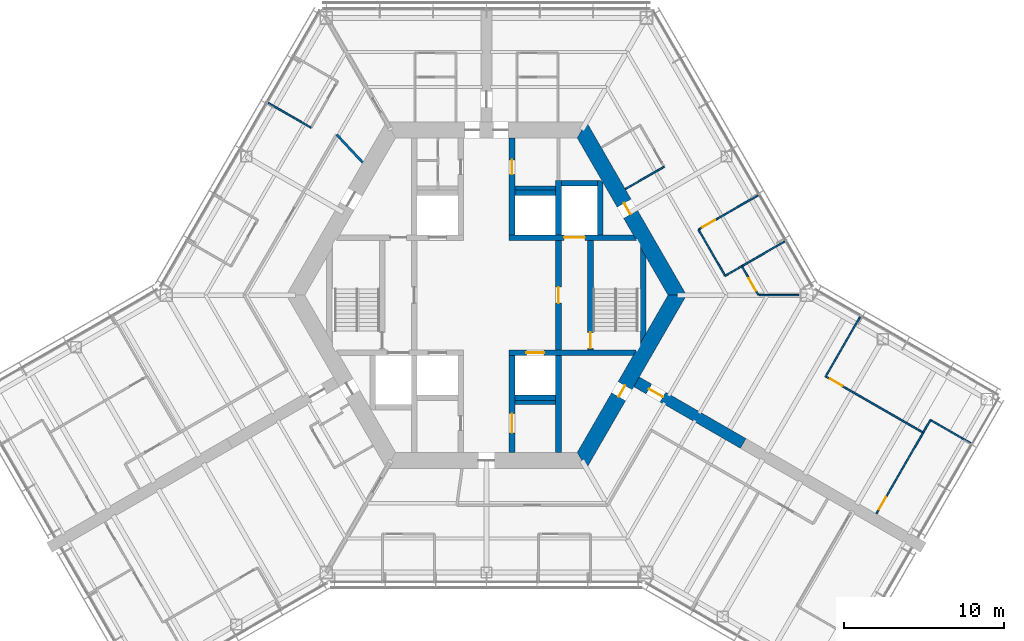
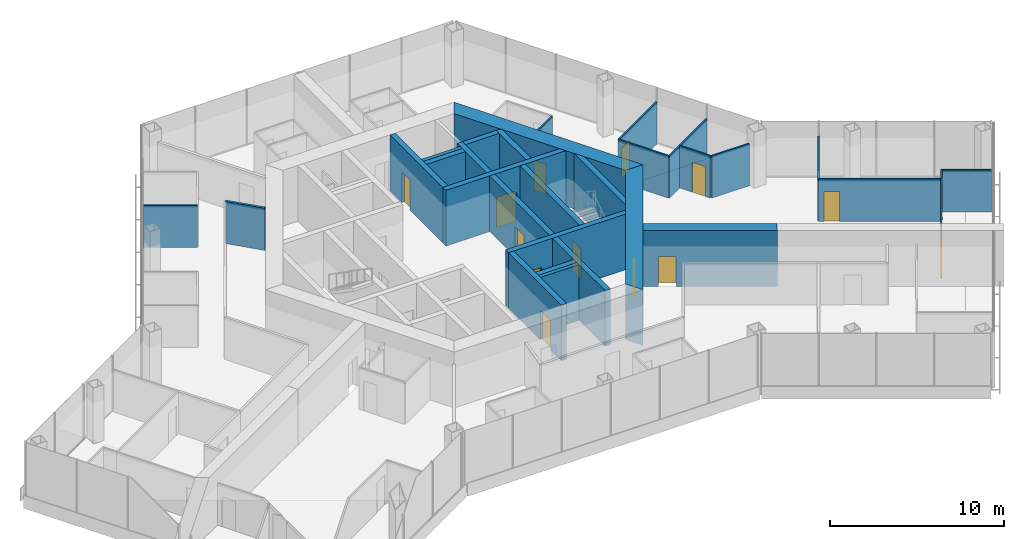
# One storey, part 14 of 18: 32 walls, 13 doors, 13 openings.
"""IFC4 building model written with IfcOpenShell, lengths in metres."""

from ifc_helpers import new_model, si_unit, direction, frame, frame_2d, origin, place, context, subcontext, project, spatial, polyline, rectangle, outline, extrude, material, layer, layer_set, type_object, element, fill, save


model = new_model("IFC4")

# Units and contexts
model_context = context("Model", 3, precision=1e-05, world=origin(), true_north=direction((0.0, 1.0)))
body_context = subcontext(model_context, "Body", "Model", "MODEL_VIEW")
ifc_project = project(units=[si_unit("LENGTHUNIT", "METRE"), si_unit("AREAUNIT", "SQUARE_METRE"), si_unit("VOLUMEUNIT", "CUBIC_METRE"), si_unit("PLANEANGLEUNIT", "RADIAN"), si_unit("MASSUNIT", "GRAM", prefix="KILO")], contexts=[model_context])

# Site, building, storey
site_placement = place(None, origin())
site = spatial("IfcSite", under=ifc_project, at=site_placement, CompositionType="ELEMENT")
building_placement = place(site_placement, origin())
building = spatial("IfcBuilding", under=site, at=building_placement, Name="Kasaneha Research Tower", CompositionType="ELEMENT")
storey_placement = place(building_placement, frame((0.0, 0.0, 187.699951171875)))
storey = spatial("IfcBuildingStorey", under=building, at=storey_placement, Name="L47", CompositionType="ELEMENT", Elevation=187.699951171875)

# Wall, opening, door
ifc_material_1 = material(Name="Concrete Fc70", Category="concrete")
ifc_layer_1 = layer(ifc_material_1, 0.35009765625)
ifc_layer_set_1 = layer_set([ifc_layer_1], Name="Core internal wall 350 Fc70")
wall_type_1 = type_object("IfcWallType", Name="Core internal wall 350 Fc70", PredefinedType="SHEAR", material=ifc_layer_set_1)
wall_1_placement = place(storey_placement, frame((1.425048828125, 3.60009765625, 0.0), z_axis=(0.0, 0.0, 1.0), x_axis=(1.0, 0.0, 0.0)))
wall_1 = element("IfcWall", 1, at=wall_1_placement, inside=storey, type_object=wall_type_1, Name="Core wall W1E L47", PredefinedType="SHEAR", context=body_context, shape_type="SweptSolid", body=[
    extrude(outline(polyline([(0.0, -0.175048828125), (3.425048828125, -0.175048828125), (4.72509765625, -0.175048828125), (7.9423828125, -0.175048828125), (7.740234375, 0.175048828125), (4.72509765625, 0.175048828125), (3.425048828125, 0.175048828125), (0.0, 0.175048828125), (0.0, -0.175048828125)])), origin(), (0.0, 0.0, 1.0), 3.900146484375),
])
opening_1_placement = place(wall_1_placement, frame((3.425048828125, 0.0, 0.0)))
opening_1 = element("IfcOpeningElement", 2, at=opening_1_placement, cuts=wall_1, Name="Opening LD-FL1-L47", PredefinedType="OPENING", context=body_context, shape_type="SweptSolid", body=[
    extrude(rectangle(XDim=1.300048828125, YDim=2.10009765625, at=frame_2d((0.64990234375, 1.050048828125))), frame((0.0, 0.18505859375, 0.0), z_axis=(0.0, -1.0, 0.0), x_axis=(1.0, 0.0, 0.0)), (0.0, 0.0, 1.0), 0.3701171875),
])
ifc_material_2 = material(Name="Steel", Category="steel")
door_type_1 = type_object("IfcDoorType", Name="Lift landing door 1300x2100", OperationType="DOUBLE_DOOR_SLIDING", PredefinedType="DOOR", material=ifc_material_2)
door_1_placement = place(opening_1_placement, origin())
door_1 = element("IfcDoor", 3, at=door_1_placement, inside=storey, type_object=door_type_1, Name="Landing door FL1 LD-FL1-L47", OperationType="DOUBLE_DOOR_SLIDING", OverallHeight=2.10009765625, OverallWidth=1.300048828125, PredefinedType="DOOR", context=body_context, shape_type="SweptSolid", body=[
    extrude(rectangle(XDim=1.300048828125, YDim=2.10009765625, at=frame_2d((0.64990234375, 1.050048828125))), frame((0.0, 0.02490234375, 0.0), z_axis=(0.0, -1.0, 0.0), x_axis=(1.0, 0.0, 0.0)), (0.0, 0.0, 1.0), 0.050048828125),
])
fill(opening_1, door_1)

wall_2_placement = place(storey_placement, frame((1.425048828125, -3.60009765625, 0.0), z_axis=(0.0, 0.0, 1.0), x_axis=(1.0, 0.0, 0.0)))
wall_2 = element("IfcWall", 4, at=wall_2_placement, inside=storey, type_object=wall_type_1, Name="Core wall W2E L47", PredefinedType="SHEAR", context=body_context, shape_type="SweptSolid", body=[
    extrude(outline(polyline([(0.0, -0.175048828125), (1.074951171875, -0.175048828125), (2.175048828125, -0.175048828125), (7.740234375, -0.175048828125), (7.9423828125, 0.175048828125), (2.175048828125, 0.175048828125), (1.074951171875, 0.175048828125), (0.0, 0.175048828125), (0.0, -0.175048828125)])), origin(), (0.0, 0.0, 1.0), 3.900146484375),
])
opening_2_placement = place(wall_2_placement, frame((1.074951171875, 0.0, 0.0)))
opening_2 = element("IfcOpeningElement", 5, at=opening_2_placement, cuts=wall_2, Name="Opening LD-LM2-L47", PredefinedType="OPENING", context=body_context, shape_type="SweptSolid", body=[
    extrude(rectangle(XDim=1.10009765625, YDim=2.10009765625, at=frame_2d((0.550048828125, 1.050048828125))), frame((0.0, 0.18505859375, 0.0), z_axis=(0.0, -1.0, 0.0), x_axis=(1.0, 0.0, 0.0)), (0.0, 0.0, 1.0), 0.3701171875),
])
ifc_material_3 = material(Name="Steel", Category="steel")
door_type_2 = type_object("IfcDoorType", Name="Lift landing door 1100x2100", OperationType="DOUBLE_DOOR_SLIDING", PredefinedType="DOOR", material=ifc_material_3)
door_2_placement = place(opening_2_placement, origin())
door_2 = element("IfcDoor", 6, at=door_2_placement, inside=storey, type_object=door_type_2, Name="Landing door LM2 LD-LM2-L47", OperationType="DOUBLE_DOOR_SLIDING", OverallHeight=2.10009765625, OverallWidth=1.10009765625, PredefinedType="DOOR", context=body_context, shape_type="SweptSolid", body=[
    extrude(rectangle(XDim=1.10009765625, YDim=2.10009765625, at=frame_2d((0.550048828125, 1.050048828125))), frame((0.0, 0.02490234375, 0.0), z_axis=(0.0, -1.0, 0.0), x_axis=(1.0, 0.0, 0.0)), (0.0, 0.0, 1.0), 0.050048828125),
])
fill(opening_2, door_2)

wall_3_placement = place(storey_placement, frame((1.60009765625, 3.77490234375, 0.0), z_axis=(0.0, 0.0, 1.0), x_axis=(0.0, 1.0, 0.0)))
wall_3 = element("IfcWall", 7, at=wall_3_placement, inside=storey, type_object=wall_type_1, Name="Core wall CNE L47", PredefinedType="SHEAR", context=body_context, shape_type="SweptSolid", body=[
    extrude(rectangle(XDim=6.050048828125, YDim=0.35009765625, at=frame_2d((3.02490234375, 0.0))), origin(), (0.0, 0.0, 1.0), 3.900146484375),
])
opening_3_placement = place(wall_3_placement, frame((3.77490234375, 0.0, 0.0)))
opening_3 = element("IfcOpeningElement", 8, at=opening_3_placement, cuts=wall_3, Name="Opening L47-D14", PredefinedType="OPENING", context=body_context, shape_type="SweptSolid", body=[
    extrude(rectangle(XDim=0.89990234375, YDim=2.10009765625, at=frame_2d((0.449951171875, 1.050048828125))), frame((0.0, 0.18505859375, 0.0), z_axis=(0.0, -1.0, 0.0), x_axis=(1.0, 0.0, 0.0)), (0.0, 0.0, 1.0), 0.3701171875),
])
ifc_material_4 = material(Name="Steel", Category="steel")
door_type_3 = type_object("IfcDoorType", Name="Toilet door FD20 900x2100", OperationType="NOTDEFINED", PredefinedType="DOOR", material=ifc_material_4)
door_3_placement = place(opening_3_placement, origin())
door_3 = element("IfcDoor", 9, at=door_3_placement, inside=storey, type_object=door_type_3, Name="Women's WC door L47-D14", OperationType="SINGLE_SWING_LEFT", OverallHeight=2.10009765625, OverallWidth=0.89990234375, PredefinedType="DOOR", context=body_context, shape_type="SweptSolid", body=[
    extrude(rectangle(XDim=0.89990234375, YDim=2.10009765625, at=frame_2d((0.449951171875, 1.050048828125))), frame((0.0, 0.02490234375, 0.0), z_axis=(0.0, -1.0, 0.0), x_axis=(1.0, 0.0, 0.0)), (0.0, 0.0, 1.0), 0.050048828125),
])
fill(opening_3, door_3)

wall_4_placement = place(storey_placement, frame((1.60009765625, -3.77490234375, 0.0), z_axis=(0.0, 0.0, 1.0), x_axis=(0.0, -1.0, 0.0)))
wall_4 = element("IfcWall", 10, at=wall_4_placement, inside=storey, type_object=wall_type_1, Name="Core wall CSE L47", PredefinedType="SHEAR", context=body_context, shape_type="SweptSolid", body=[
    extrude(rectangle(XDim=6.050048828125, YDim=0.35009765625, at=frame_2d((3.02490234375, 0.0))), origin(), (0.0, 0.0, 1.0), 3.900146484375),
])
opening_4_placement = place(wall_4_placement, frame((3.625, 0.0, 0.0)))
opening_4 = element("IfcOpeningElement", 11, at=opening_4_placement, cuts=wall_4, Name="Opening L47-D15", PredefinedType="OPENING", context=body_context, shape_type="SweptSolid", body=[
    extrude(rectangle(XDim=1.199951171875, YDim=2.10009765625, at=frame_2d((0.60009765625, 1.050048828125))), frame((0.0, 0.18505859375, 0.0), z_axis=(0.0, -1.0, 0.0), x_axis=(1.0, 0.0, 0.0)), (0.0, 0.0, 1.0), 0.3701171875),
])
ifc_material_5 = material(Name="Steel", Category="steel")
door_type_4 = type_object("IfcDoorType", Name="Accessible toilet sliding door FD20 1200x2100", OperationType="SLIDING_TO_LEFT", PredefinedType="DOOR", material=ifc_material_5)
door_4_placement = place(opening_4_placement, origin())
door_4 = element("IfcDoor", 12, at=door_4_placement, inside=storey, type_object=door_type_4, Name="Accessible WC door L47-D15", OperationType="SLIDING_TO_LEFT", OverallHeight=2.10009765625, OverallWidth=1.199951171875, PredefinedType="DOOR", context=body_context, shape_type="SweptSolid", body=[
    extrude(rectangle(XDim=1.199951171875, YDim=2.10009765625, at=frame_2d((0.60009765625, 1.050048828125))), frame((0.0, 0.02490234375, 0.0), z_axis=(0.0, -1.0, 0.0), x_axis=(1.0, 0.0, 0.0)), (0.0, 0.0, 1.0), 0.050048828125),
])
fill(opening_4, door_4)

wall_5_placement = place(storey_placement, frame((4.5, -3.425048828125, 0.0), z_axis=(0.0, 0.0, 1.0), x_axis=(0.0, 1.0, 0.0)))
wall_5 = element("IfcWall", 13, at=wall_5_placement, inside=storey, type_object=wall_type_1, Name="Core wall LBE L47", PredefinedType="SHEAR", context=body_context, shape_type="SweptSolid", body=[
    extrude(rectangle(XDim=6.85009765625, YDim=0.35009765625, at=frame_2d((3.425048828125, 0.0))), origin(), (0.0, 0.0, 1.0), 3.900146484375),
])
opening_5_placement = place(wall_5_placement, frame((2.925048828125, 0.0, 0.0)))
opening_5 = element("IfcOpeningElement", 14, at=opening_5_placement, cuts=wall_5, Name="Opening L47-D08", PredefinedType="OPENING", context=body_context, shape_type="SweptSolid", body=[
    extrude(rectangle(XDim=1.0, YDim=2.10009765625, at=frame_2d((0.5, 1.050048828125))), frame((0.0, 0.18505859375, 0.0), z_axis=(0.0, -1.0, 0.0), x_axis=(1.0, 0.0, 0.0)), (0.0, 0.0, 1.0), 0.3701171875),
])
ifc_material_6 = material(Name="Steel", Category="steel")
door_type_5 = type_object("IfcDoorType", Name="Specified fire door FD60 1000x2100", OperationType="NOTDEFINED", PredefinedType="DOOR", material=ifc_material_6)
door_5_placement = place(opening_5_placement, origin())
door_5 = element("IfcDoor", 15, at=door_5_placement, inside=storey, type_object=door_type_5, Name="Lift lobby door east L47-D08", OperationType="SINGLE_SWING_LEFT", OverallHeight=2.10009765625, OverallWidth=1.0, PredefinedType="DOOR", context=body_context, shape_type="SweptSolid", body=[
    extrude(rectangle(XDim=1.0, YDim=2.10009765625, at=frame_2d((0.5, 1.050048828125))), frame((0.0, 0.02490234375, 0.0), z_axis=(0.0, -1.0, 0.0), x_axis=(1.0, 0.0, 0.0)), (0.0, 0.0, 1.0), 0.050048828125),
])
fill(opening_5, door_5)

wall_6_placement = place(storey_placement, frame((6.5, -3.425048828125, 0.0), z_axis=(0.0, 0.0, 1.0), x_axis=(0.0, 1.0, 0.0)))
wall_6 = element("IfcWall", 16, at=wall_6_placement, inside=storey, type_object=wall_type_1, Name="Core wall ANE L47", PredefinedType="SHEAR", context=body_context, shape_type="SweptSolid", body=[
    extrude(rectangle(XDim=6.85009765625, YDim=0.35009765625, at=frame_2d((3.425048828125, 0.0))), origin(), (0.0, 0.0, 1.0), 3.900146484375),
])
opening_6_placement = place(wall_6_placement, frame((0.10009765625, 0.0, 0.0)))
opening_6 = element("IfcOpeningElement", 17, at=opening_6_placement, cuts=wall_6, Name="Opening L47-D10", PredefinedType="OPENING", context=body_context, shape_type="SweptSolid", body=[
    extrude(rectangle(XDim=1.0, YDim=2.10009765625, at=frame_2d((0.5, 1.050048828125))), frame((0.0, 0.18505859375, 0.0), z_axis=(0.0, -1.0, 0.0), x_axis=(1.0, 0.0, 0.0)), (0.0, 0.0, 1.0), 0.3701171875),
])
door_6_placement = place(opening_6_placement, origin())
door_6 = element("IfcDoor", 18, at=door_6_placement, inside=storey, type_object=door_type_5, Name="Stair 1 door L47-D10", OperationType="SINGLE_SWING_LEFT", OverallHeight=2.10009765625, OverallWidth=1.0, PredefinedType="DOOR", context=body_context, shape_type="SweptSolid", body=[
    extrude(rectangle(XDim=1.0, YDim=2.10009765625, at=frame_2d((0.5, 1.050048828125))), frame((0.0, 0.02490234375, 0.0), z_axis=(0.0, -1.0, 0.0), x_axis=(1.0, 0.0, 0.0)), (0.0, 0.0, 1.0), 0.050048828125),
])
fill(opening_6, door_6)

# Walls
wall_7_placement = place(storey_placement, frame((4.5, 3.77490234375, 0.0), z_axis=(0.0, 0.0, 1.0), x_axis=(0.0, 1.0, 0.0)))
element("IfcWall", 19, at=wall_7_placement, inside=storey, type_object=wall_type_1, Name="Core wall FNE L47", PredefinedType="SHEAR", context=body_context, shape_type="SweptSolid", body=[
    extrude(rectangle(XDim=3.400146484375, YDim=0.35009765625, at=frame_2d((1.7001953125, 0.0))), origin(), (0.0, 0.0, 1.0), 3.900146484375),
])
wall_8_placement = place(storey_placement, frame((4.5, -3.77490234375, 0.0), z_axis=(0.0, 0.0, 1.0), x_axis=(0.0, -1.0, 0.0)))
element("IfcWall", 20, at=wall_8_placement, inside=storey, type_object=wall_type_1, Name="Core wall SSE L47", PredefinedType="SHEAR", context=body_context, shape_type="SweptSolid", body=[
    extrude(rectangle(XDim=6.050048828125, YDim=0.35009765625, at=frame_2d((3.02490234375, 0.0))), origin(), (0.0, 0.0, 1.0), 3.900146484375),
])
for number, where, z_axis, x_axis, name in (
    (21, (1.77490234375, 6.39990234375, 0.0), (0.0, 0.0, 1.0), (1.0, 0.0, 0.0), "Core wall N3N L47"),
    (22, (1.77490234375, -6.39990234375, 0.0), (0.0, 0.0, 1.0), (1.0, 0.0, 0.0), "Core wall S3S L47"),
):
    element("IfcWall", number, at=place(storey_placement, frame(where, z_axis=z_axis, x_axis=x_axis)), inside=storey, type_object=wall_type_1, Name=name, PredefinedType="SHEAR", context=body_context, shape_type="SweptSolid", body=[
        extrude(rectangle(XDim=2.550048828125, YDim=0.35009765625, at=frame_2d((1.27490234375, 0.0))), origin(), (0.0, 0.0, 1.0), 3.900146484375),
    ])
wall_9_placement = place(storey_placement, frame((4.675048828125, 7.0, 0.0), z_axis=(0.0, 0.0, 1.0), x_axis=(1.0, 0.0, 0.0)))
element("IfcWall", 23, at=wall_9_placement, inside=storey, type_object=wall_type_1, Name="Core wall F1N L47", PredefinedType="SHEAR", context=body_context, shape_type="SweptSolid", body=[
    extrude(rectangle(XDim=2.25, YDim=0.35009765625, at=frame_2d((1.125, 0.0))), origin(), (0.0, 0.0, 1.0), 3.900146484375),
])
wall_10_placement = place(storey_placement, frame((7.10009765625, 3.77490234375, 0.0), z_axis=(0.0, 0.0, 1.0), x_axis=(0.0, 1.0, 0.0)))
element("IfcWall", 24, at=wall_10_placement, inside=storey, type_object=wall_type_1, Name="Core wall F1E L47", PredefinedType="SHEAR", context=body_context, shape_type="SweptSolid", body=[
    extrude(outline(polyline([(0.0, -0.175048828125), (3.2744140625, -0.175048828125), (3.400146484375, 0.0), (3.400146484375, 0.175048828125), (0.0, 0.175048828125), (0.0, -0.175048828125)])), origin(), (0.0, 0.0, 1.0), 3.900146484375),
])
wall_11_placement = place(storey_placement, frame((9.807861328125, -2.662353515625, 0.0), z_axis=(0.0, 0.0, 1.0), x_axis=(0.0, 1.0, 0.0)))
element("IfcWall", 25, at=wall_11_placement, inside=storey, type_object=wall_type_1, Name="Core wall STE L47", PredefinedType="SHEAR", context=body_context, shape_type="SweptSolid", body=[
    extrude(outline(polyline([(0.30322265625, -0.175048828125), (5.021484375, -0.175048828125), (5.6279296875, 0.175048828125), (-0.30322265625, 0.175048828125), (0.30322265625, -0.175048828125)])), origin(), (0.0, 0.0, 1.0), 3.900146484375),
])

# Wall, opening, door
ifc_material_7 = material(Name="Concrete Fc70", Category="concrete")
ifc_layer_2 = layer(ifc_material_7, 1.0)
ifc_layer_set_2 = layer_set([ifc_layer_2], Name="Core wall 1000 Fc70")
wall_type_2 = type_object("IfcWallType", Name="Core wall 1000 Fc70", PredefinedType="SHEAR", material=ifc_layer_set_2)
wall_12_placement = place(storey_placement, frame((11.92236328125, 0.0, 0.0), z_axis=(0.0, 0.0, 1.0), x_axis=(-0.500004296715, 0.866022923061, 0.0)))
wall_12 = element("IfcWall", 26, at=wall_12_placement, inside=storey, type_object=wall_type_2, Name="Core wall 030 L47", PredefinedType="SHEAR", context=body_context, shape_type="SweptSolid", body=[
    extrude(outline(polyline([(-0.28857421875, -0.5), (5.83544921875, -0.5), (6.635498046875, -0.5), (12.2109375, -0.5), (11.6337890625, 0.5), (6.635498046875, 0.5), (5.83544921875, 0.5), (0.28857421875, 0.5), (-0.28857421875, -0.5)])), origin(), (0.0, 0.0, 1.0), 3.900146484375),
])
opening_7_placement = place(wall_12_placement, frame((5.83544921875, 0.0, 0.0)))
opening_7 = element("IfcOpeningElement", 27, at=opening_7_placement, cuts=wall_12, Name="Opening L47-D04", PredefinedType="OPENING", context=body_context, shape_type="SweptSolid", body=[
    extrude(rectangle(XDim=0.800048828125, YDim=2.10009765625, at=frame_2d((0.39990234375, 1.050048828125))), frame((0.0, 0.510009765625, 0.0), z_axis=(0.0, -1.0, 0.0), x_axis=(1.0, 0.0, 0.0)), (0.0, 0.0, 1.0), 1.02001953125),
])
ifc_material_8 = material(Name="Steel", Category="steel")
door_type_6 = type_object("IfcDoorType", Name="Riser access door FD60 800x2100", OperationType="NOTDEFINED", PredefinedType="DOOR", material=ifc_material_8)
door_7_placement = place(opening_7_placement, origin())
door_7 = element("IfcDoor", 28, at=door_7_placement, inside=storey, type_object=door_type_6, Name="Pipe riser door L47-D04", OperationType="SINGLE_SWING_RIGHT", OverallHeight=2.10009765625, OverallWidth=0.800048828125, PredefinedType="DOOR", context=body_context, shape_type="SweptSolid", body=[
    extrude(rectangle(XDim=0.800048828125, YDim=2.10009765625, at=frame_2d((0.39990234375, 1.050048828125))), frame((0.0, 0.02490234375, 0.0), z_axis=(0.0, -1.0, 0.0), x_axis=(1.0, 0.0, 0.0)), (0.0, 0.0, 1.0), 0.050048828125),
])
fill(opening_7, door_7)

wall_13_placement = place(storey_placement, frame((5.961181640625, -10.324951171875, 0.0), z_axis=(0.0, 0.0, 1.0), x_axis=(0.500004296715, 0.866022923061, 0.0)))
wall_13 = element("IfcWall", 29, at=wall_13_placement, inside=storey, type_object=wall_type_2, Name="Core wall 330 L47", PredefinedType="SHEAR", context=body_context, shape_type="SweptSolid", body=[
    extrude(outline(polyline([(-0.28857421875, -0.5), (4.593994140625, -0.5), (5.39404296875, -0.5), (12.2109375, -0.5), (11.6337890625, 0.5), (5.39404296875, 0.5), (4.593994140625, 0.5), (0.28857421875, 0.5), (-0.28857421875, -0.5)])), origin(), (0.0, 0.0, 1.0), 3.900146484375),
])
opening_8_placement = place(wall_13_placement, frame((4.593994140625, 0.0, 0.0)))
opening_8 = element("IfcOpeningElement", 30, at=opening_8_placement, cuts=wall_13, Name="Opening L47-D05", PredefinedType="OPENING", context=body_context, shape_type="SweptSolid", body=[
    extrude(rectangle(XDim=0.800048828125, YDim=2.10009765625, at=frame_2d((0.39990234375, 1.050048828125))), frame((0.0, 0.510009765625, 0.0), z_axis=(0.0, -1.0, 0.0), x_axis=(1.0, 0.0, 0.0)), (0.0, 0.0, 1.0), 1.02001953125),
])
door_8_placement = place(opening_8_placement, origin())
door_8 = element("IfcDoor", 31, at=door_8_placement, inside=storey, type_object=door_type_6, Name="Pipe riser door L47-D05", OperationType="SINGLE_SWING_LEFT", OverallHeight=2.10009765625, OverallWidth=0.800048828125, PredefinedType="DOOR", context=body_context, shape_type="SweptSolid", body=[
    extrude(rectangle(XDim=0.800048828125, YDim=2.10009765625, at=frame_2d((0.39990234375, 1.050048828125))), frame((0.0, 0.02490234375, 0.0), z_axis=(0.0, -1.0, 0.0), x_axis=(1.0, 0.0, 0.0)), (0.0, 0.0, 1.0), 0.050048828125),
])
fill(opening_8, door_8)

# Walls
ifc_material_9 = material(Name="Gypsum board on steel studs, one layer each side", Category="steel")
ifc_layer_3 = layer(ifc_material_9, 0.10009765625)
ifc_layer_set_3 = layer_set([ifc_layer_3], Name="Office partition 100")
wall_type_3 = type_object("IfcWallType", Name="Office partition 100", PredefinedType="PARTITIONING", material=ifc_layer_set_3)
wall_14_placement = place(storey_placement, frame((11.099609375, 8.02490234375, 0.0), z_axis=(0.0, 0.0, 1.0), x_axis=(-0.866056901187, -0.49994544093, 0.0)))
element("IfcWall", 32, at=wall_14_placement, inside=storey, type_object=wall_type_3, Name="Office partition FAE09 L47", PredefinedType="PARTITIONING", context=body_context, shape_type="SweptSolid", body=[
    extrude(rectangle(XDim=2.780029296875, YDim=0.10009765625, at=frame_2d((1.39013671875, 0.0))), origin(), (0.0, 0.0, 1.0), 2.949951171875),
])
wall_15_placement = place(storey_placement, frame((18.619873046875, 3.3505859375, 0.0), z_axis=(0.0, 0.0, 1.0), x_axis=(-0.866043267704, -0.499969057507, 0.0)))
element("IfcWall", 33, at=wall_15_placement, inside=storey, type_object=wall_type_3, Name="Office partition FAE10 L47", PredefinedType="PARTITIONING", context=body_context, shape_type="SweptSolid", body=[
    extrude(rectangle(XDim=3.085205078125, YDim=0.10009765625, at=frame_2d((1.54248046875, 0.0))), origin(), (0.0, 0.0, 1.0), 2.949951171875),
])

# Wall, opening, door
wall_16_placement = place(storey_placement, frame((13.247802734375, 4.09521484375, 0.0), z_axis=(0.0, 0.0, 1.0), x_axis=(0.866018428791, 0.500012080849, 0.0)))
wall_16 = element("IfcWall", 34, at=wall_16_placement, inside=storey, type_object=wall_type_3, Name="Office partition FAE11 L47", PredefinedType="PARTITIONING", context=body_context, shape_type="SweptSolid", body=[
    extrude(rectangle(XDim=4.30517578125, YDim=0.10009765625, at=frame_2d((2.152587890625, 0.0))), origin(), (0.0, 0.0, 1.0), 2.949951171875),
])
opening_9_placement = place(wall_16_placement, frame((0.300048828125, 0.0, 0.0)))
opening_9 = element("IfcOpeningElement", 35, at=opening_9_placement, cuts=wall_16, Name="Opening L47-D27", PredefinedType="OPENING", context=body_context, shape_type="SweptSolid", body=[
    extrude(rectangle(XDim=0.89990234375, YDim=2.10009765625, at=frame_2d((0.449951171875, 1.050048828125))), frame((0.0, 0.06005859375, 0.0), z_axis=(0.0, -1.0, 0.0), x_axis=(1.0, 0.0, 0.0)), (0.0, 0.0, 1.0), 0.1201171875),
])
ifc_material_10 = material(Name="Timber veneer", Category="wood")
door_type_7 = type_object("IfcDoorType", Name="Office door 900x2100", OperationType="SINGLE_SWING_LEFT", PredefinedType="DOOR", material=ifc_material_10)
door_9_placement = place(opening_9_placement, origin())
door_9 = element("IfcDoor", 36, at=door_9_placement, inside=storey, type_object=door_type_7, Name="Meeting room door L47-D27", OperationType="SINGLE_SWING_LEFT", OverallHeight=2.10009765625, OverallWidth=0.89990234375, PredefinedType="DOOR", context=body_context, shape_type="SweptSolid", body=[
    extrude(rectangle(XDim=0.89990234375, YDim=2.10009765625, at=frame_2d((0.449951171875, 1.050048828125))), frame((0.0, 0.02490234375, 0.0), z_axis=(0.0, -1.0, 0.0), x_axis=(1.0, 0.0, 0.0)), (0.0, 0.0, 1.0), 0.050048828125),
])
fill(opening_9, door_9)

# Walls
wall_17_placement = place(storey_placement, frame((14.9130859375, 1.21044921875, 0.0), z_axis=(0.0, 0.0, 1.0), x_axis=(-0.499946633866, 0.866056212544, 0.0)))
element("IfcWall", 37, at=wall_17_placement, inside=storey, type_object=wall_type_3, Name="Office partition FAE12 L47", PredefinedType="PARTITIONING", context=body_context, shape_type="SweptSolid", body=[
    extrude(rectangle(XDim=3.330810546875, YDim=0.10009765625, at=frame_2d((1.66552734375, 0.0))), origin(), (0.0, 0.0, 1.0), 2.949951171875),
])
wall_18_placement = place(storey_placement, frame((15.956298828125, 1.812744140625, 0.0), z_axis=(0.0, 0.0, 1.0), x_axis=(-0.866026957163, -0.49999730946, 0.0)))
element("IfcWall", 38, at=wall_18_placement, inside=storey, type_object=wall_type_3, Name="Office partition FAE13 L47", PredefinedType="PARTITIONING", context=body_context, shape_type="SweptSolid", body=[
    extrude(rectangle(XDim=1.20458984375, YDim=0.10009765625, at=frame_2d((0.602294921875, 0.0))), origin(), (0.0, 0.0, 1.0), 2.949951171875),
])

# Wall, opening, door
wall_19_placement = place(storey_placement, frame((16.986083984375, 0.02001953125, 0.0), z_axis=(0.0, 0.0, 1.0), x_axis=(-0.498096123952, 0.867121820337, 0.0)))
wall_19 = element("IfcWall", 39, at=wall_19_placement, inside=storey, type_object=wall_type_3, Name="Office partition FAE14 L47", PredefinedType="PARTITIONING", context=body_context, shape_type="SweptSolid", body=[
    extrude(rectangle(XDim=2.0673828125, YDim=0.10009765625, at=frame_2d((1.03369140625, 0.0))), origin(), (0.0, 0.0, 1.0), 2.949951171875),
])
opening_10_placement = place(wall_19_placement, frame((0.300048828125, 0.0, 0.0)))
opening_10 = element("IfcOpeningElement", 40, at=opening_10_placement, cuts=wall_19, Name="Opening L47-D28", PredefinedType="OPENING", context=body_context, shape_type="SweptSolid", body=[
    extrude(rectangle(XDim=0.89990234375, YDim=2.10009765625, at=frame_2d((0.449951171875, 1.050048828125))), frame((0.0, 0.06005859375, 0.0), z_axis=(0.0, -1.0, 0.0), x_axis=(1.0, 0.0, 0.0)), (0.0, 0.0, 1.0), 0.1201171875),
])
door_10_placement = place(opening_10_placement, origin())
door_10 = element("IfcDoor", 41, at=door_10_placement, inside=storey, type_object=door_type_7, Name="Project room door L47-D28", OperationType="SINGLE_SWING_LEFT", OverallHeight=2.10009765625, OverallWidth=0.89990234375, PredefinedType="DOOR", context=body_context, shape_type="SweptSolid", body=[
    extrude(rectangle(XDim=0.89990234375, YDim=2.10009765625, at=frame_2d((0.449951171875, 1.050048828125))), frame((0.0, 0.02490234375, 0.0), z_axis=(0.0, -1.0, 0.0), x_axis=(1.0, 0.0, 0.0)), (0.0, 0.0, 1.0), 0.050048828125),
])
fill(opening_10, door_10)

# Walls
wall_20_placement = place(storey_placement, frame((-10.9560546875, 10.464599609375, 0.0), z_axis=(0.0, 0.0, 1.0), x_axis=(-0.866044340336, 0.499967199496, 0.0)))
element("IfcWall", 42, at=wall_20_placement, inside=storey, type_object=wall_type_3, Name="Office partition FBN13 L47", PredefinedType="PARTITIONING", context=body_context, shape_type="SweptSolid", body=[
    extrude(rectangle(XDim=3.079833984375, YDim=0.10009765625, at=frame_2d((1.5400390625, 0.0))), origin(), (0.0, 0.0, 1.0), 2.949951171875),
])
wall_21_placement = place(storey_placement, frame((27.73828125, -7.797119140625, 0.0), z_axis=(0.0, 0.0, 1.0), x_axis=(-0.504879575425, -0.863189790439, 0.0)))
element("IfcWall", 43, at=wall_21_placement, inside=storey, type_object=wall_type_3, Name="Office partition FCE01 L47", PredefinedType="PARTITIONING", context=body_context, shape_type="SweptSolid", body=[
    extrude(rectangle(XDim=0.917724609375, YDim=0.10009765625, at=frame_2d((0.458984375, 0.0))), origin(), (0.0, 0.0, 1.0), 2.949951171875),
])
wall_22_placement = place(storey_placement, frame((30.232421875, -9.23681640625, 0.0), z_axis=(0.0, 0.0, 1.0), x_axis=(-0.866069831116, 0.499923041708, 0.0)))
element("IfcWall", 44, at=wall_22_placement, inside=storey, type_object=wall_type_3, Name="Office partition FCE02 L47", PredefinedType="PARTITIONING", context=body_context, shape_type="SweptSolid", body=[
    extrude(rectangle(XDim=2.8798828125, YDim=0.10009765625, at=frame_2d((1.43994140625, 0.0))), origin(), (0.0, 0.0, 1.0), 2.949951171875),
])
wall_23_placement = place(storey_placement, frame((21.192138671875, -5.076171875, 0.0), z_axis=(0.0, 0.0, 1.0), x_axis=(0.500028586798, 0.86600889856, 0.0)))
element("IfcWall", 45, at=wall_23_placement, inside=storey, type_object=wall_type_3, Name="Office partition FCE03 L47", PredefinedType="PARTITIONING", context=body_context, shape_type="SweptSolid", body=[
    extrude(rectangle(XDim=4.280029296875, YDim=0.10009765625, at=frame_2d((2.14013671875, 0.0))), origin(), (0.0, 0.0, 1.0), 2.949951171875),
])

# Wall, opening, door
wall_24_placement = place(storey_placement, frame((27.281494140625, -8.587158203125, 0.0), z_axis=(0.0, 0.0, 1.0), x_axis=(-0.866315083588, 0.499497923867, 0.0)))
wall_24 = element("IfcWall", 46, at=wall_24_placement, inside=storey, type_object=wall_type_3, Name="Office partition FCE04 L47", PredefinedType="PARTITIONING", context=body_context, shape_type="SweptSolid", body=[
    extrude(rectangle(XDim=7.029052734375, YDim=0.10009765625, at=frame_2d((3.5146484375, 0.0))), origin(), (0.0, 0.0, 1.0), 2.949951171875),
])
opening_11_placement = place(wall_24_placement, frame((5.8291015625, 0.0, 0.0)))
opening_11 = element("IfcOpeningElement", 47, at=opening_11_placement, cuts=wall_24, Name="Opening L47-D41", PredefinedType="OPENING", context=body_context, shape_type="SweptSolid", body=[
    extrude(rectangle(XDim=0.89990234375, YDim=2.10009765625, at=frame_2d((0.449951171875, 1.050048828125))), frame((0.0, 0.06005859375, 0.0), z_axis=(0.0, -1.0, 0.0), x_axis=(1.0, 0.0, 0.0)), (0.0, 0.0, 1.0), 0.1201171875),
])
door_11_placement = place(opening_11_placement, origin())
door_11 = element("IfcDoor", 48, at=door_11_placement, inside=storey, type_object=door_type_7, Name="Large meeting room door L47-D41", OperationType="SINGLE_SWING_RIGHT", OverallHeight=2.10009765625, OverallWidth=0.89990234375, PredefinedType="DOOR", context=body_context, shape_type="SweptSolid", body=[
    extrude(rectangle(XDim=0.89990234375, YDim=2.10009765625, at=frame_2d((0.449951171875, 1.050048828125))), frame((0.0, 0.02490234375, 0.0), z_axis=(0.0, -1.0, 0.0), x_axis=(1.0, 0.0, 0.0)), (0.0, 0.0, 1.0), 0.050048828125),
])
fill(opening_11, door_11)

wall_25_placement = place(storey_placement, frame((24.364990234375, -13.639892578125, 0.0), z_axis=(0.0, 0.0, 1.0), x_axis=(0.499991719831, 0.86603018429, 0.0)))
wall_25 = element("IfcWall", 49, at=wall_25_placement, inside=storey, type_object=wall_type_3, Name="Office partition FCE05 L47", PredefinedType="PARTITIONING", context=body_context, shape_type="SweptSolid", body=[
    extrude(rectangle(XDim=5.833984375, YDim=0.10009765625, at=frame_2d((2.9169921875, 0.0))), origin(), (0.0, 0.0, 1.0), 2.949951171875),
])
opening_12_placement = place(wall_25_placement, frame((0.300048828125, 0.0, 0.0)))
opening_12 = element("IfcOpeningElement", 50, at=opening_12_placement, cuts=wall_25, Name="Opening L47-D42", PredefinedType="OPENING", context=body_context, shape_type="SweptSolid", body=[
    extrude(rectangle(XDim=0.89990234375, YDim=2.10009765625, at=frame_2d((0.449951171875, 1.050048828125))), frame((0.0, 0.06005859375, 0.0), z_axis=(0.0, -1.0, 0.0), x_axis=(1.0, 0.0, 0.0)), (0.0, 0.0, 1.0), 0.1201171875),
])
door_12_placement = place(opening_12_placement, origin())
door_12 = element("IfcDoor", 51, at=door_12_placement, inside=storey, type_object=door_type_7, Name="Manager's office door L47-D42", OperationType="SINGLE_SWING_LEFT", OverallHeight=2.10009765625, OverallWidth=0.89990234375, PredefinedType="DOOR", context=body_context, shape_type="SweptSolid", body=[
    extrude(rectangle(XDim=0.89990234375, YDim=2.10009765625, at=frame_2d((0.449951171875, 1.050048828125))), frame((0.0, 0.02490234375, 0.0), z_axis=(0.0, -1.0, 0.0), x_axis=(1.0, 0.0, 0.0)), (0.0, 0.0, 1.0), 0.050048828125),
])
fill(opening_12, door_12)

# Wall
wall_26_placement = place(storey_placement, frame((19.5185546875, 0.0, 0.0), z_axis=(0.0, 0.0, 1.0), x_axis=(-1.0, 0.0, 0.0)))
element("IfcWall", 52, at=wall_26_placement, inside=storey, type_object=wall_type_3, Name="Office partition closer PT5 L47", PredefinedType="PARTITIONING", context=body_context, shape_type="SweptSolid", body=[
    extrude(rectangle(XDim=2.477783203125, YDim=0.10009765625, at=frame_2d((1.23876953125, 0.0))), origin(), (0.0, 0.0, 1.0), 2.949951171875),
])

# Wall, opening, door
ifc_material_11 = material(Name="Concrete Fc70", Category="concrete")
ifc_layer_4 = layer(ifc_material_11, 0.699951171875)
ifc_layer_set_4 = layer_set([ifc_layer_4], Name="Spine wall 700 Fc70")
wall_type_4 = type_object("IfcWallType", Name="Spine wall 700 Fc70", PredefinedType="SHEAR", material=ifc_layer_set_4)
wall_27_placement = place(storey_placement, frame((9.374755859375, -5.41259765625, 0.0), z_axis=(0.0, 0.0, 1.0), x_axis=(0.866032377459, -0.499987921047, 0.0)))
wall_27 = element("IfcWall", 53, at=wall_27_placement, inside=storey, type_object=wall_type_4, Name="Spine wall C L47", PredefinedType="SHEAR", context=body_context, shape_type="SweptSolid", body=[
    extrude(rectangle(XDim=7.695556640625, YDim=0.699951171875, at=frame_2d((3.84765625, 0.0))), origin(), (0.0, 0.0, 1.0), 3.900146484375),
])
opening_13_placement = place(wall_27_placement, frame((0.89990234375, 0.0, 0.0)))
opening_13 = element("IfcOpeningElement", 54, at=opening_13_placement, cuts=wall_27, Name="Opening L47-D19", PredefinedType="OPENING", context=body_context, shape_type="SweptSolid", body=[
    extrude(rectangle(XDim=1.0, YDim=2.10009765625, at=frame_2d((0.5, 1.050048828125))), frame((0.0, 0.35986328125, 0.0), z_axis=(0.0, -1.0, 0.0), x_axis=(1.0, 0.0, 0.0)), (0.0, 0.0, 1.0), 0.719970703125),
])
door_13_placement = place(opening_13_placement, origin())
door_13 = element("IfcDoor", 55, at=door_13_placement, inside=storey, type_object=door_type_5, Name="Spine doorway C L47-D19", OperationType="SINGLE_SWING_LEFT", OverallHeight=2.10009765625, OverallWidth=1.0, PredefinedType="DOOR", context=body_context, shape_type="SweptSolid", body=[
    extrude(rectangle(XDim=1.0, YDim=2.10009765625, at=frame_2d((0.5, 1.050048828125))), frame((0.0, 0.02490234375, 0.0), z_axis=(0.0, -1.0, 0.0), x_axis=(1.0, 0.0, 0.0)), (0.0, 0.0, 1.0), 0.050048828125),
])
fill(opening_13, door_13)

# Walls
ifc_material_12 = material(Name="Gypsum board on steel studs, two layers each side", Category="steel")
ifc_layer_5 = layer(ifc_material_12, 0.14990234375)
ifc_layer_set_5 = layer_set([ifc_layer_5], Name="Suite partition 150")
wall_type_5 = type_object("IfcWallType", Name="Suite partition 150", PredefinedType="PARTITIONING", material=ifc_layer_set_5)
wall_28_placement = place(storey_placement, frame((-9.360107421875, 10.03759765625, 0.0), z_axis=(0.0, 0.0, 1.0), x_axis=(0.681997114248, -0.731354863358, 0.0)))
element("IfcWall", 56, at=wall_28_placement, inside=storey, type_object=wall_type_5, Name="Suite partition FBN04 L47", PredefinedType="PARTITIONING", context=body_context, shape_type="SweptSolid", body=[
    extrude(outline(polyline([(0.0, -0.074951171875), (2.384033203125, -0.074951171875), (2.384033203125, 0.0), (2.382080078125, 0.074951171875), (0.0, 0.074951171875), (0.0, -0.074951171875)])), origin(), (0.0, 0.0, 1.0), 2.949951171875),
])
ifc_material_13 = material(Name="Concrete block lining", Category="concrete")
ifc_layer_6 = layer(ifc_material_13, 0.25)
ifc_layer_set_6 = layer_set([ifc_layer_6], Name="WC plumbing wall 250")
wall_type_6 = type_object("IfcWallType", Name="WC plumbing wall 250", PredefinedType="PLUMBINGWALL", material=ifc_layer_set_6)
for number, where, z_axis, x_axis, name in (
    (57, (1.77490234375, 6.699951171875, 0.0), (0.0, 0.0, 1.0), (1.0, 0.0, 0.0), "WC plumbing wall F L47"),
    (58, (1.77490234375, -6.699951171875, 0.0), (0.0, 0.0, 1.0), (1.0, 0.0, 0.0), "WC plumbing wall A L47"),
):
    element("IfcWall", number, at=place(storey_placement, frame(where, z_axis=z_axis, x_axis=x_axis)), inside=storey, type_object=wall_type_6, Name=name, PredefinedType="PLUMBINGWALL", context=body_context, shape_type="SweptSolid", body=[
        extrude(rectangle(XDim=2.550048828125, YDim=0.25, at=frame_2d((1.27490234375, 0.0))), origin(), (0.0, 0.0, 1.0), 3.900146484375),
    ])

save(model, "model.ifc")
